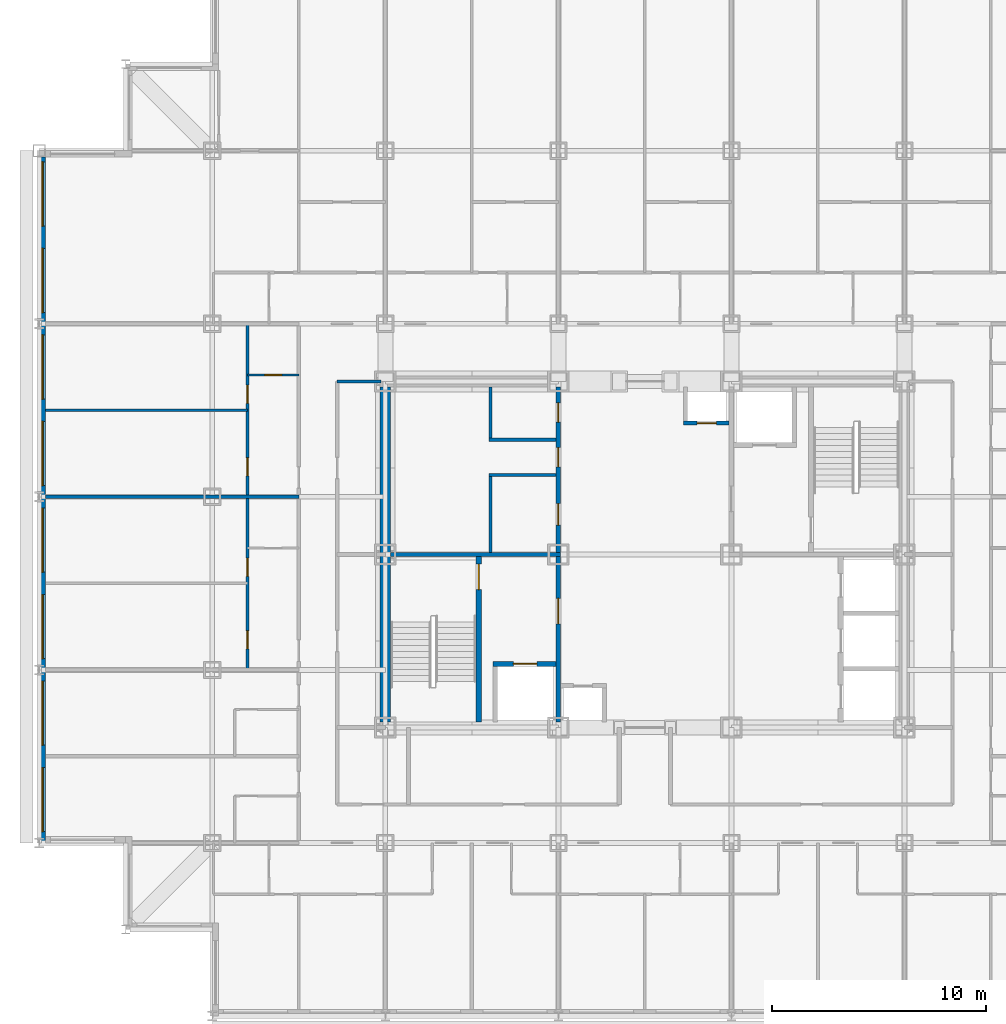
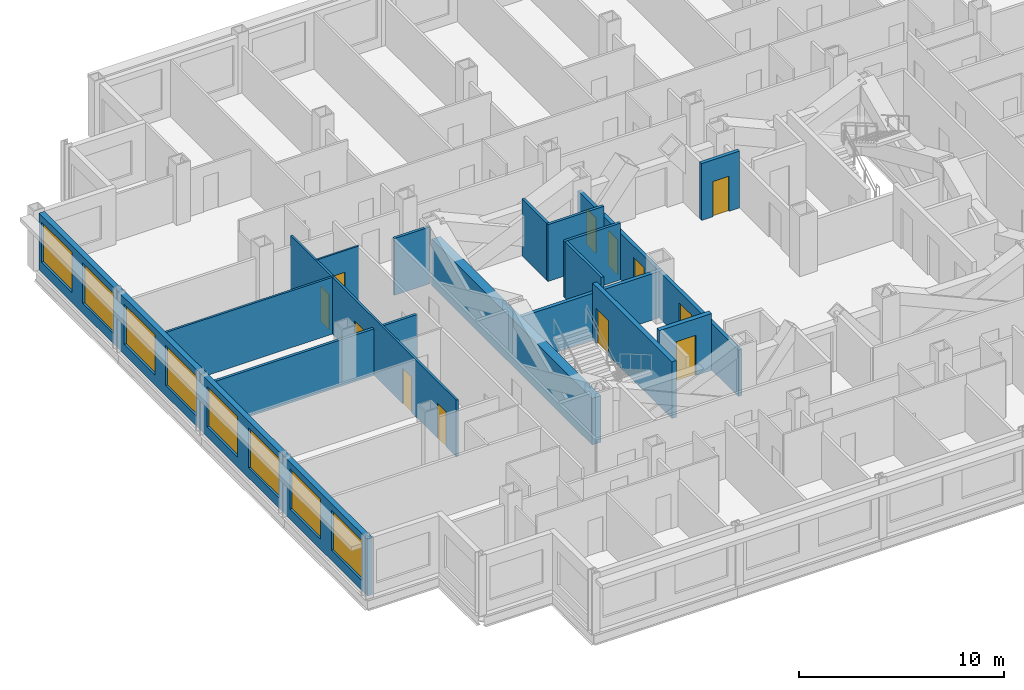
# One storey, part 6 of 12: 17 walls, 12 doors, 8 windows, 20 openings.
"""IFC4 building model written with IfcOpenShell, lengths in metres."""

from ifc_helpers import new_model, si_unit, direction, frame, frame_2d, origin, place, context, subcontext, project, spatial, rectangle, extrude, material, layer, layer_set, type_object, element, fill, save


model = new_model("IFC4")

# Units and contexts
model_context = context("Model", 3, precision=1e-05, world=origin(), true_north=direction((0.0, 1.0)))
body_context = subcontext(model_context, "Body", "Model", "MODEL_VIEW")
ifc_project = project(units=[si_unit("LENGTHUNIT", "METRE"), si_unit("AREAUNIT", "SQUARE_METRE"), si_unit("VOLUMEUNIT", "CUBIC_METRE"), si_unit("PLANEANGLEUNIT", "RADIAN"), si_unit("MASSUNIT", "GRAM", prefix="KILO")], contexts=[model_context])

# Site, building, storey
site_placement = place(None, origin())
site = spatial("IfcSite", under=ifc_project, at=site_placement, CompositionType="ELEMENT")
building_placement = place(site_placement, origin())
building = spatial("IfcBuilding", under=site, at=building_placement, Name="Kopane Lantern Tower", CompositionType="ELEMENT")
storey_placement = place(building_placement, frame((0.0, 0.0, 177.60009765625)))
storey = spatial("IfcBuildingStorey", under=building, at=storey_placement, Name="L45", CompositionType="ELEMENT", Elevation=177.60009765625)

# Wall, openings, doors
ifc_material_1 = material(Name="Gypsum board on steel studs", Category="steel")
ifc_layer_1 = layer(ifc_material_1, 0.1201171875)
ifc_layer_set_1 = layer_set([ifc_layer_1], Name="APARTMENT INTERNAL WALL 120")
wall_type_1 = type_object("IfcWallType", Name="APARTMENT INTERNAL WALL 120", PredefinedType="PARTITIONING", material=ifc_layer_set_1)
wall_1_placement = place(storey_placement, frame((9.75, 27.0, 0.0), z_axis=(0.0, 0.0, 1.0), x_axis=(0.0, 1.0, 0.0)))
wall_1 = element("IfcWall", 1, at=wall_1_placement, inside=storey, type_object=wall_type_1, Name="Apartment Internal Wall 120 L45", PredefinedType="PARTITIONING", context=body_context, shape_type="SweptSolid", body=[
    extrude(rectangle(XDim=16.199951171875, YDim=0.1201171875, at=frame_2d((8.10009765625, 0.0))), origin(), (0.0, 0.0, 1.0), 3.389892578125),
])
opening_1_placement = place(wall_1_placement, frame((0.97509765625, 0.0, 0.0)))
opening_1 = element("IfcOpeningElement", 2, at=opening_1_placement, cuts=wall_1, Name="Opening L45-038", PredefinedType="OPENING", context=body_context, shape_type="SweptSolid", body=[
    extrude(rectangle(XDim=0.85009765625, YDim=2.10009765625, at=frame_2d((0.425048828125, 1.050048828125))), frame((0.0, 0.070068359375, 0.0), z_axis=(0.0, -1.0, 0.0), x_axis=(1.0, 0.0, 0.0)), (0.0, 0.0, 1.0), 0.14013671875),
])
opening_2_placement = place(wall_1_placement, frame((4.375, 0.0, 0.0)))
opening_2 = element("IfcOpeningElement", 3, at=opening_2_placement, cuts=wall_1, Name="Opening L45-039", PredefinedType="OPENING", context=body_context, shape_type="SweptSolid", body=[
    extrude(rectangle(XDim=0.85009765625, YDim=2.10009765625, at=frame_2d((0.425048828125, 1.050048828125))), frame((0.0, 0.070068359375, 0.0), z_axis=(0.0, -1.0, 0.0), x_axis=(1.0, 0.0, 0.0)), (0.0, 0.0, 1.0), 0.14013671875),
])
opening_3_placement = place(wall_1_placement, frame((9.074951171875, 0.0, 0.0)))
opening_3 = element("IfcOpeningElement", 4, at=opening_3_placement, cuts=wall_1, Name="Opening L45-042", PredefinedType="OPENING", context=body_context, shape_type="SweptSolid", body=[
    extrude(rectangle(XDim=0.85009765625, YDim=2.10009765625, at=frame_2d((0.425048828125, 1.050048828125))), frame((0.0, 0.070068359375, 0.0), z_axis=(0.0, -1.0, 0.0), x_axis=(1.0, 0.0, 0.0)), (0.0, 0.0, 1.0), 0.14013671875),
])
opening_4_placement = place(wall_1_placement, frame((12.47509765625, 0.0, 0.0)))
opening_4 = element("IfcOpeningElement", 5, at=opening_4_placement, cuts=wall_1, Name="Opening L45-043", PredefinedType="OPENING", context=body_context, shape_type="SweptSolid", body=[
    extrude(rectangle(XDim=0.85009765625, YDim=2.10009765625, at=frame_2d((0.425048828125, 1.050048828125))), frame((0.0, 0.070068359375, 0.0), z_axis=(0.0, -1.0, 0.0), x_axis=(1.0, 0.0, 0.0)), (0.0, 0.0, 1.0), 0.14013671875),
])
ifc_material_2 = material(Name="Timber door set", Category="wood")
door_type_1 = type_object("IfcDoorType", Name="DOOR D4 850x2100", OperationType="SINGLE_SWING_LEFT", PredefinedType="DOOR", material=ifc_material_2)
door_1_placement = place(opening_1_placement, origin())
door_1 = element("IfcDoor", 6, at=door_1_placement, inside=storey, type_object=door_type_1, Name="Door L45-038", OperationType="SINGLE_SWING_RIGHT", OverallHeight=2.10009765625, OverallWidth=0.85009765625, PredefinedType="DOOR", context=body_context, shape_type="SweptSolid", body=[
    extrude(rectangle(XDim=0.85009765625, YDim=2.10009765625, at=frame_2d((0.425048828125, 1.050048828125))), frame((0.0, 0.02490234375, 0.0), z_axis=(0.0, -1.0, 0.0), x_axis=(1.0, 0.0, 0.0)), (0.0, 0.0, 1.0), 0.050048828125),
])
fill(opening_1, door_1)
door_2_placement = place(opening_2_placement, origin())
door_2 = element("IfcDoor", 7, at=door_2_placement, inside=storey, type_object=door_type_1, Name="Door L45-039", OperationType="SINGLE_SWING_LEFT", OverallHeight=2.10009765625, OverallWidth=0.85009765625, PredefinedType="DOOR", context=body_context, shape_type="SweptSolid", body=[
    extrude(rectangle(XDim=0.85009765625, YDim=2.10009765625, at=frame_2d((0.425048828125, 1.050048828125))), frame((0.0, 0.02490234375, 0.0), z_axis=(0.0, -1.0, 0.0), x_axis=(1.0, 0.0, 0.0)), (0.0, 0.0, 1.0), 0.050048828125),
])
fill(opening_2, door_2)
door_3_placement = place(opening_3_placement, origin())
door_3 = element("IfcDoor", 8, at=door_3_placement, inside=storey, type_object=door_type_1, Name="Door L45-042", OperationType="SINGLE_SWING_RIGHT", OverallHeight=2.10009765625, OverallWidth=0.85009765625, PredefinedType="DOOR", context=body_context, shape_type="SweptSolid", body=[
    extrude(rectangle(XDim=0.85009765625, YDim=2.10009765625, at=frame_2d((0.425048828125, 1.050048828125))), frame((0.0, 0.02490234375, 0.0), z_axis=(0.0, -1.0, 0.0), x_axis=(1.0, 0.0, 0.0)), (0.0, 0.0, 1.0), 0.050048828125),
])
fill(opening_3, door_3)
door_4_placement = place(opening_4_placement, origin())
door_4 = element("IfcDoor", 9, at=door_4_placement, inside=storey, type_object=door_type_1, Name="Door L45-043", OperationType="SINGLE_SWING_LEFT", OverallHeight=2.10009765625, OverallWidth=0.85009765625, PredefinedType="DOOR", context=body_context, shape_type="SweptSolid", body=[
    extrude(rectangle(XDim=0.85009765625, YDim=2.10009765625, at=frame_2d((0.425048828125, 1.050048828125))), frame((0.0, 0.02490234375, 0.0), z_axis=(0.0, -1.0, 0.0), x_axis=(1.0, 0.0, 0.0)), (0.0, 0.0, 1.0), 0.050048828125),
])
fill(opening_4, door_4)

# Wall
wall_2_placement = place(storey_placement, frame((9.75, 39.14990234375, 0.0), z_axis=(0.0, 0.0, 1.0), x_axis=(-1.0, 0.0, 0.0)))
element("IfcWall", 10, at=wall_2_placement, inside=storey, type_object=wall_type_1, Name="Apartment Internal Wall 120 L45", PredefinedType="PARTITIONING", context=body_context, shape_type="SweptSolid", body=[
    extrude(rectangle(XDim=9.449951171875, YDim=0.1201171875, at=frame_2d((4.72509765625, 0.0))), origin(), (0.0, 0.0, 1.0), 3.389892578125),
])

# Wall, opening, door
ifc_material_3 = material(Name="Moisture-resistant board on steel studs", Category="steel")
ifc_layer_2 = layer(ifc_material_3, 0.10009765625)
ifc_layer_set_2 = layer_set([ifc_layer_2], Name="BATHROOM WALL 100")
wall_type_2 = type_object("IfcWallType", Name="BATHROOM WALL 100", PredefinedType="PARTITIONING", material=ifc_layer_set_2)
wall_3_placement = place(storey_placement, frame((12.14990234375, 40.800048828125, 0.0), z_axis=(0.0, 0.0, 1.0), x_axis=(-1.0, 0.0, 0.0)))
wall_3 = element("IfcWall", 11, at=wall_3_placement, inside=storey, type_object=wall_type_2, Name="Bathroom Wall 100 L45", PredefinedType="PARTITIONING", context=body_context, shape_type="SweptSolid", body=[
    extrude(rectangle(XDim=2.39990234375, YDim=0.10009765625, at=frame_2d((1.199951171875, 0.0))), origin(), (0.0, 0.0, 1.0), 3.389892578125),
])
opening_5_placement = place(wall_3_placement, frame((0.800048828125, 0.0, 0.0)))
opening_5 = element("IfcOpeningElement", 12, at=opening_5_placement, cuts=wall_3, Name="Opening L45-040", PredefinedType="OPENING", context=body_context, shape_type="SweptSolid", body=[
    extrude(rectangle(XDim=0.800048828125, YDim=2.10009765625, at=frame_2d((0.39990234375, 1.050048828125))), frame((0.0, 0.06005859375, 0.0), z_axis=(0.0, -1.0, 0.0), x_axis=(1.0, 0.0, 0.0)), (0.0, 0.0, 1.0), 0.1201171875),
])
ifc_material_4 = material(Name="Timber door set", Category="wood")
door_type_2 = type_object("IfcDoorType", Name="DOOR D2 800x2100", OperationType="SINGLE_SWING_LEFT", PredefinedType="DOOR", material=ifc_material_4)
door_5_placement = place(opening_5_placement, origin())
door_5 = element("IfcDoor", 13, at=door_5_placement, inside=storey, type_object=door_type_2, Name="Door L45-040", OperationType="SINGLE_SWING_RIGHT", OverallHeight=2.10009765625, OverallWidth=0.800048828125, PredefinedType="DOOR", context=body_context, shape_type="SweptSolid", body=[
    extrude(rectangle(XDim=0.800048828125, YDim=2.10009765625, at=frame_2d((0.39990234375, 1.050048828125))), frame((0.0, 0.02490234375, 0.0), z_axis=(0.0, -1.0, 0.0), x_axis=(1.0, 0.0, 0.0)), (0.0, 0.0, 1.0), 0.050048828125),
])
fill(opening_5, door_5)

# Walls
ifc_material_5 = material(Name="Gypsum shaft wall EI 120", Category="gypsum")
ifc_layer_3 = layer(ifc_material_5, 0.5)
ifc_layer_set_3 = layer_set([ifc_layer_3], Name="CORE PERIMETER WALL 500 EI 120")
wall_type_3 = type_object("IfcWallType", Name="CORE PERIMETER WALL 500 EI 120", PredefinedType="SOLIDWALL", material=ifc_layer_set_3)
wall_4_placement = place(storey_placement, frame((16.199951171875, 24.550048828125, 0.0), z_axis=(0.0, 0.0, 1.0), x_axis=(0.0, 1.0, 0.0)))
element("IfcWall", 14, at=wall_4_placement, inside=storey, type_object=wall_type_3, Name="Core shaft wall L45 PW", PredefinedType="SOLIDWALL", context=body_context, shape_type="SweptSolid", body=[
    extrude(rectangle(XDim=15.699951171875, YDim=0.5, at=frame_2d((7.85009765625, 0.0))), origin(), (0.0, 0.0, 1.0), 2.777587890625),
])
ifc_material_6 = material(Name="Gypsum partition EI 60", Category="gypsum")
ifc_layer_4 = layer(ifc_material_6, 0.14990234375)
ifc_layer_set_4 = layer_set([ifc_layer_4], Name="CORE ROOM PARTITION 150 EI 60")
wall_type_4 = type_object("IfcWallType", Name="CORE ROOM PARTITION 150 EI 60", PredefinedType="PARTITIONING", material=ifc_layer_set_4)
for number, where, z_axis, x_axis, name in (
    (15, (21.050048828125, 36.125, 0.0), (0.0, 0.0, 1.0), (1.0, 0.0, 0.0), "Core room partition L45 WW1"),
    (16, (21.050048828125, 37.77490234375, 0.0), (0.0, 0.0, 1.0), (1.0, 0.0, 0.0), "Core room partition L45 WW2"),
):
    element("IfcWall", number, at=place(storey_placement, frame(where, z_axis=z_axis, x_axis=x_axis)), inside=storey, type_object=wall_type_4, Name=name, PredefinedType="PARTITIONING", context=body_context, shape_type="SweptSolid", body=[
        extrude(rectangle(XDim=3.14990234375, YDim=0.14990234375, at=frame_2d((1.574951171875, 0.0))), origin(), (0.0, 0.0, 1.0), 3.389892578125),
    ])
wall_5_placement = place(storey_placement, frame((21.125, 32.5, 0.0), z_axis=(0.0, 0.0, 1.0), x_axis=(0.0, 1.0, 0.0)))
element("IfcWall", 17, at=wall_5_placement, inside=storey, type_object=wall_type_4, Name="Core room partition L45 WWB0", PredefinedType="PARTITIONING", context=body_context, shape_type="SweptSolid", body=[
    extrude(rectangle(XDim=3.550048828125, YDim=0.14990234375, at=frame_2d((1.77490234375, 0.0))), origin(), (0.0, 0.0, 1.0), 3.389892578125),
])
wall_6_placement = place(storey_placement, frame((21.125, 37.85009765625, 0.0), z_axis=(0.0, 0.0, 1.0), x_axis=(0.0, 1.0, 0.0)))
element("IfcWall", 18, at=wall_6_placement, inside=storey, type_object=wall_type_4, Name="Core room partition L45 WWB1", PredefinedType="PARTITIONING", context=body_context, shape_type="SweptSolid", body=[
    extrude(rectangle(XDim=2.39990234375, YDim=0.14990234375, at=frame_2d((1.199951171875, 0.0))), origin(), (0.0, 0.0, 1.0), 3.389892578125),
])

# Wall, openings, doors
ifc_material_7 = material(Name="Gypsum partition EI 60", Category="gypsum")
ifc_layer_5 = layer(ifc_material_7, 0.199951171875)
ifc_layer_set_5 = layer_set([ifc_layer_5], Name="CORE ROOM WALL 200 EI 60")
wall_type_5 = type_object("IfcWallType", Name="CORE ROOM WALL 200 EI 60", PredefinedType="PARTITIONING", material=ifc_layer_set_5)
wall_7_placement = place(storey_placement, frame((24.300048828125, 32.5, 0.0), z_axis=(0.0, 0.0, 1.0), x_axis=(0.0, 1.0, 0.0)))
wall_7 = element("IfcWall", 19, at=wall_7_placement, inside=storey, type_object=wall_type_5, Name="Core room wall L45 XW", PredefinedType="PARTITIONING", context=body_context, shape_type="SweptSolid", body=[
    extrude(rectangle(XDim=7.75, YDim=0.199951171875, at=frame_2d((3.875, 0.0))), origin(), (0.0, 0.0, 1.0), 2.777587890625),
])
opening_6_placement = place(wall_7_placement, frame((1.27490234375, 0.0, 0.0)))
opening_6 = element("IfcOpeningElement", 20, at=opening_6_placement, cuts=wall_7, Name="Opening 45.C30", PredefinedType="OPENING", context=body_context, shape_type="SweptSolid", body=[
    extrude(rectangle(XDim=1.0, YDim=2.10009765625, at=frame_2d((0.5, 1.050048828125))), frame((0.0, 0.10986328125, 0.0), z_axis=(0.0, -1.0, 0.0), x_axis=(1.0, 0.0, 0.0)), (0.0, 0.0, 1.0), 0.219970703125),
])
opening_7_placement = place(wall_7_placement, frame((4.0, 0.0, 0.0)))
opening_7 = element("IfcOpeningElement", 21, at=opening_7_placement, cuts=wall_7, Name="Opening 45.C31", PredefinedType="OPENING", context=body_context, shape_type="SweptSolid", body=[
    extrude(rectangle(XDim=0.89990234375, YDim=2.10009765625, at=frame_2d((0.449951171875, 1.050048828125))), frame((0.0, 0.10986328125, 0.0), z_axis=(0.0, -1.0, 0.0), x_axis=(1.0, 0.0, 0.0)), (0.0, 0.0, 1.0), 0.219970703125),
])
opening_8_placement = place(wall_7_placement, frame((6.10009765625, 0.0, 0.0)))
opening_8 = element("IfcOpeningElement", 22, at=opening_8_placement, cuts=wall_7, Name="Opening 45.C32", PredefinedType="OPENING", context=body_context, shape_type="SweptSolid", body=[
    extrude(rectangle(XDim=0.89990234375, YDim=2.10009765625, at=frame_2d((0.449951171875, 1.050048828125))), frame((0.0, 0.10986328125, 0.0), z_axis=(0.0, -1.0, 0.0), x_axis=(1.0, 0.0, 0.0)), (0.0, 0.0, 1.0), 0.219970703125),
])
ifc_material_8 = material(Name="Steel door set", Category="steel")
door_type_3 = type_object("IfcDoorType", Name="CORE ROOM DOOR 1000x2100 FD30S", OperationType="SINGLE_SWING_RIGHT", PredefinedType="DOOR", material=ifc_material_8)
door_6_placement = place(opening_6_placement, origin())
door_6 = element("IfcDoor", 23, at=door_6_placement, inside=storey, type_object=door_type_3, Name="Door Parcel room L45", OperationType="SINGLE_SWING_LEFT", OverallHeight=2.10009765625, OverallWidth=1.0, PredefinedType="DOOR", context=body_context, shape_type="SweptSolid", body=[
    extrude(rectangle(XDim=1.0, YDim=2.10009765625, at=frame_2d((0.5, 1.050048828125))), frame((0.0, 0.02490234375, 0.0), z_axis=(0.0, -1.0, 0.0), x_axis=(1.0, 0.0, 0.0)), (0.0, 0.0, 1.0), 0.050048828125),
])
fill(opening_6, door_6)
ifc_material_9 = material(Name="Steel door set", Category="steel")
door_type_4 = type_object("IfcDoorType", Name="CORE ROOM DOOR 900x2100 FD60", OperationType="SINGLE_SWING_LEFT", PredefinedType="DOOR", material=ifc_material_9)
door_7_placement = place(opening_7_placement, origin())
door_7 = element("IfcDoor", 24, at=door_7_placement, inside=storey, type_object=door_type_4, Name="Door Residents storage L45", OperationType="SINGLE_SWING_RIGHT", OverallHeight=2.10009765625, OverallWidth=0.89990234375, PredefinedType="DOOR", context=body_context, shape_type="SweptSolid", body=[
    extrude(rectangle(XDim=0.89990234375, YDim=2.10009765625, at=frame_2d((0.449951171875, 1.050048828125))), frame((0.0, 0.02490234375, 0.0), z_axis=(0.0, -1.0, 0.0), x_axis=(1.0, 0.0, 0.0)), (0.0, 0.0, 1.0), 0.050048828125),
])
fill(opening_7, door_7)
door_8_placement = place(opening_8_placement, origin())
door_8 = element("IfcDoor", 25, at=door_8_placement, inside=storey, type_object=door_type_4, Name="Door IT room L45", OperationType="SINGLE_SWING_LEFT", OverallHeight=2.10009765625, OverallWidth=0.89990234375, PredefinedType="DOOR", context=body_context, shape_type="SweptSolid", body=[
    extrude(rectangle(XDim=0.89990234375, YDim=2.10009765625, at=frame_2d((0.449951171875, 1.050048828125))), frame((0.0, 0.02490234375, 0.0), z_axis=(0.0, -1.0, 0.0), x_axis=(1.0, 0.0, 0.0)), (0.0, 0.0, 1.0), 0.050048828125),
])
fill(opening_8, door_8)

# Wall, opening, door
ifc_material_10 = material(Name="Gypsum shaft wall EI 120", Category="gypsum")
ifc_layer_6 = layer(ifc_material_10, 0.25)
ifc_layer_set_6 = layer_set([ifc_layer_6], Name="CORE SHAFT WALL 250 EI 120")
wall_type_6 = type_object("IfcWallType", Name="CORE SHAFT WALL 250 EI 120", PredefinedType="SOLIDWALL", material=ifc_layer_set_6)
wall_8_placement = place(storey_placement, frame((20.574951171875, 24.550048828125, 0.0), z_axis=(0.0, 0.0, 1.0), x_axis=(0.0, 1.0, 0.0)))
wall_8 = element("IfcWall", 26, at=wall_8_placement, inside=storey, type_object=wall_type_6, Name="Core shaft wall L45 XST1", PredefinedType="SOLIDWALL", context=body_context, shape_type="SweptSolid", body=[
    extrude(rectangle(XDim=7.75, YDim=0.25, at=frame_2d((3.875, 0.0))), origin(), (0.0, 0.0, 1.0), 3.389892578125),
])
opening_9_placement = place(wall_8_placement, frame((6.199951171875, 0.0, 0.0)))
opening_9 = element("IfcOpeningElement", 27, at=opening_9_placement, cuts=wall_8, Name="Opening 45.SD1", PredefinedType="OPENING", context=body_context, shape_type="SweptSolid", body=[
    extrude(rectangle(XDim=1.199951171875, YDim=2.10009765625, at=frame_2d((0.60009765625, 1.050048828125))), frame((0.0, 0.135009765625, 0.0), z_axis=(0.0, -1.0, 0.0), x_axis=(1.0, 0.0, 0.0)), (0.0, 0.0, 1.0), 0.27001953125),
])
ifc_material_11 = material(Name="Steel door set", Category="steel")
door_type_5 = type_object("IfcDoorType", Name="STAIR DOOR 1200x2100 FD60S", OperationType="SINGLE_SWING_LEFT", PredefinedType="DOOR", material=ifc_material_11)
door_9_placement = place(opening_9_placement, origin())
door_9 = element("IfcDoor", 28, at=door_9_placement, inside=storey, type_object=door_type_5, Name="Stair door ST1 L45", OperationType="SINGLE_SWING_LEFT", OverallHeight=2.10009765625, OverallWidth=1.199951171875, PredefinedType="DOOR", context=body_context, shape_type="SweptSolid", body=[
    extrude(rectangle(XDim=1.199951171875, YDim=2.10009765625, at=frame_2d((0.60009765625, 1.050048828125))), frame((0.0, 0.02490234375, 0.0), z_axis=(0.0, -1.0, 0.0), x_axis=(1.0, 0.0, 0.0)), (0.0, 0.0, 1.0), 0.050048828125),
])
fill(opening_9, door_9)

wall_9_placement = place(storey_placement, frame((21.25, 27.27490234375, 0.0), z_axis=(0.0, 0.0, 1.0), x_axis=(1.0, 0.0, 0.0)))
wall_9 = element("IfcWall", 29, at=wall_9_placement, inside=storey, type_object=wall_type_6, Name="Core shaft wall L45 YLF1", PredefinedType="SOLIDWALL", context=body_context, shape_type="SweptSolid", body=[
    extrude(rectangle(XDim=2.949951171875, YDim=0.25, at=frame_2d((1.47509765625, 0.0))), origin(), (0.0, 0.0, 1.0), 3.389892578125),
])
opening_10_placement = place(wall_9_placement, frame((0.949951171875, 0.0, 0.0)))
opening_10 = element("IfcOpeningElement", 30, at=opening_10_placement, cuts=wall_9, Name="Opening 45.LD-LF1", PredefinedType="OPENING", context=body_context, shape_type="SweptSolid", body=[
    extrude(rectangle(XDim=1.10009765625, YDim=2.39990234375, at=frame_2d((0.550048828125, 1.199951171875))), frame((0.0, 0.135009765625, 0.0), z_axis=(0.0, -1.0, 0.0), x_axis=(1.0, 0.0, 0.0)), (0.0, 0.0, 1.0), 0.27001953125),
])
ifc_material_12 = material(Name="Steel door set", Category="steel")
door_type_6 = type_object("IfcDoorType", Name="LIFT LANDING DOOR 1100x2400 FD60", OperationType="DOUBLE_DOOR_SLIDING", PredefinedType="DOOR", material=ifc_material_12)
door_10_placement = place(opening_10_placement, origin())
door_10 = element("IfcDoor", 31, at=door_10_placement, inside=storey, type_object=door_type_6, Name="Landing door LF1 L45", OperationType="DOUBLE_DOOR_SLIDING", OverallHeight=2.39990234375, OverallWidth=1.10009765625, PredefinedType="DOOR", context=body_context, shape_type="SweptSolid", body=[
    extrude(rectangle(XDim=1.10009765625, YDim=2.39990234375, at=frame_2d((0.550048828125, 1.199951171875))), frame((0.0, 0.02490234375, 0.0), z_axis=(0.0, -1.0, 0.0), x_axis=(1.0, 0.0, 0.0)), (0.0, 0.0, 1.0), 0.050048828125),
])
fill(opening_10, door_10)

# Walls
ifc_material_13 = material(Name="Gypsum board on steel studs", Category="steel")
ifc_layer_7 = layer(ifc_material_13, 0.14990234375)
ifc_layer_set_7 = layer_set([ifc_layer_7], Name="CORRIDOR WALL 150 EI 60")
wall_type_7 = type_object("IfcWallType", Name="CORRIDOR WALL 150 EI 60", PredefinedType="PARTITIONING", material=ifc_layer_set_7)
wall_10_placement = place(storey_placement, frame((16.0, 40.5, 0.0), z_axis=(0.0, 0.0, 1.0), x_axis=(-1.0, 0.0, 0.0)))
element("IfcWall", 32, at=wall_10_placement, inside=storey, type_object=wall_type_7, Name="Corridor Wall 150 Ei 60 L45", PredefinedType="PARTITIONING", context=body_context, shape_type="SweptSolid", body=[
    extrude(rectangle(XDim=2.050048828125, YDim=0.14990234375, at=frame_2d((1.02490234375, 0.0))), origin(), (0.0, 0.0, 1.0), 3.389892578125),
])
ifc_material_14 = material(Name="Gypsum board on steel studs", Category="steel")
ifc_layer_8 = layer(ifc_material_14, 0.14990234375)
ifc_layer_set_8 = layer_set([ifc_layer_8], Name="DEMISING WALL 150 EI 60")
wall_type_8 = type_object("IfcWallType", Name="DEMISING WALL 150 EI 60", PredefinedType="PARTITIONING", material=ifc_layer_set_8)
wall_11_placement = place(storey_placement, frame((12.14990234375, 35.10009765625, 0.0), z_axis=(0.0, 0.0, 1.0), x_axis=(-1.0, 0.0, 0.0)))
element("IfcWall", 33, at=wall_11_placement, inside=storey, type_object=wall_type_8, Name="Demising Wall 150 Ei 60 L45", PredefinedType="PARTITIONING", context=body_context, shape_type="SweptSolid", body=[
    extrude(rectangle(XDim=11.849853515625, YDim=0.14990234375, at=frame_2d((5.9248046875, 0.0))), origin(), (0.0, 0.0, 1.0), 2.777587890625),
])

# Wall, openings, windows
ifc_material_15 = material(Name="Terracotta rainscreen on light steel framing", Category="masonry")
ifc_layer_9 = layer(ifc_material_15, 0.300048828125)
ifc_layer_set_9 = layer_set([ifc_layer_9], Name="EXTERNAL WALL EW1 300 TERRACOTTA")
wall_type_9 = type_object("IfcWallType", Name="EXTERNAL WALL EW1 300 TERRACOTTA", PredefinedType="SOLIDWALL", material=ifc_layer_set_9)
wall_12_placement = place(storey_placement, frame((0.14990234375, 51.0, 0.0), z_axis=(0.0, 0.0, 1.0), x_axis=(0.0, -1.0, 0.0)))
wall_12 = element("IfcWall", 34, at=wall_12_placement, inside=storey, type_object=wall_type_9, Name="External wall W L45", PredefinedType="SOLIDWALL", context=body_context, shape_type="SweptSolid", body=[
    extrude(rectangle(XDim=32.10009765625, YDim=0.300048828125, at=frame_2d((16.050048828125, 0.0))), origin(), (0.0, 0.0, 1.0), 3.389892578125),
])
opening_11_placement = place(wall_12_placement, frame((0.22509765625, 0.0, 0.60009765625)))
opening_11 = element("IfcOpeningElement", 35, at=opening_11_placement, cuts=wall_12, Name="Opening WR300240", PredefinedType="OPENING", context=body_context, shape_type="SweptSolid", body=[
    extrude(rectangle(XDim=3.0, YDim=2.39990234375, at=frame_2d((1.5, 1.199951171875))), frame((0.0, 0.159912109375, 0.0), z_axis=(0.0, -1.0, 0.0), x_axis=(1.0, 0.0, 0.0)), (0.0, 0.0, 1.0), 0.320068359375),
])
opening_12_placement = place(wall_12_placement, frame((4.27490234375, 0.0, 0.60009765625)))
opening_12 = element("IfcOpeningElement", 36, at=opening_12_placement, cuts=wall_12, Name="Opening WR300240", PredefinedType="OPENING", context=body_context, shape_type="SweptSolid", body=[
    extrude(rectangle(XDim=3.0, YDim=2.39990234375, at=frame_2d((1.5, 1.199951171875))), frame((0.0, 0.159912109375, 0.0), z_axis=(0.0, -1.0, 0.0), x_axis=(1.0, 0.0, 0.0)), (0.0, 0.0, 1.0), 0.320068359375),
])
opening_13_placement = place(wall_12_placement, frame((8.324951171875, 0.0, 0.60009765625)))
opening_13 = element("IfcOpeningElement", 37, at=opening_13_placement, cuts=wall_12, Name="Opening WR300240", PredefinedType="OPENING", context=body_context, shape_type="SweptSolid", body=[
    extrude(rectangle(XDim=3.0, YDim=2.39990234375, at=frame_2d((1.5, 1.199951171875))), frame((0.0, 0.159912109375, 0.0), z_axis=(0.0, -1.0, 0.0), x_axis=(1.0, 0.0, 0.0)), (0.0, 0.0, 1.0), 0.320068359375),
])
opening_14_placement = place(wall_12_placement, frame((12.375, 0.0, 0.60009765625)))
opening_14 = element("IfcOpeningElement", 38, at=opening_14_placement, cuts=wall_12, Name="Opening WR300240", PredefinedType="OPENING", context=body_context, shape_type="SweptSolid", body=[
    extrude(rectangle(XDim=3.0, YDim=2.39990234375, at=frame_2d((1.5, 1.199951171875))), frame((0.0, 0.159912109375, 0.0), z_axis=(0.0, -1.0, 0.0), x_axis=(1.0, 0.0, 0.0)), (0.0, 0.0, 1.0), 0.320068359375),
])
opening_15_placement = place(wall_12_placement, frame((16.425048828125, 0.0, 0.60009765625)))
opening_15 = element("IfcOpeningElement", 39, at=opening_15_placement, cuts=wall_12, Name="Opening WR300240", PredefinedType="OPENING", context=body_context, shape_type="SweptSolid", body=[
    extrude(rectangle(XDim=3.0, YDim=2.39990234375, at=frame_2d((1.5, 1.199951171875))), frame((0.0, 0.159912109375, 0.0), z_axis=(0.0, -1.0, 0.0), x_axis=(1.0, 0.0, 0.0)), (0.0, 0.0, 1.0), 0.320068359375),
])
opening_16_placement = place(wall_12_placement, frame((20.47509765625, 0.0, 0.60009765625)))
opening_16 = element("IfcOpeningElement", 40, at=opening_16_placement, cuts=wall_12, Name="Opening WR300240", PredefinedType="OPENING", context=body_context, shape_type="SweptSolid", body=[
    extrude(rectangle(XDim=3.0, YDim=2.39990234375, at=frame_2d((1.5, 1.199951171875))), frame((0.0, 0.159912109375, 0.0), z_axis=(0.0, -1.0, 0.0), x_axis=(1.0, 0.0, 0.0)), (0.0, 0.0, 1.0), 0.320068359375),
])
opening_17_placement = place(wall_12_placement, frame((24.52490234375, 0.0, 0.60009765625)))
opening_17 = element("IfcOpeningElement", 41, at=opening_17_placement, cuts=wall_12, Name="Opening WR300240", PredefinedType="OPENING", context=body_context, shape_type="SweptSolid", body=[
    extrude(rectangle(XDim=3.0, YDim=2.39990234375, at=frame_2d((1.5, 1.199951171875))), frame((0.0, 0.159912109375, 0.0), z_axis=(0.0, -1.0, 0.0), x_axis=(1.0, 0.0, 0.0)), (0.0, 0.0, 1.0), 0.320068359375),
])
opening_18_placement = place(wall_12_placement, frame((28.574951171875, 0.0, 0.60009765625)))
opening_18 = element("IfcOpeningElement", 42, at=opening_18_placement, cuts=wall_12, Name="Opening WR300240", PredefinedType="OPENING", context=body_context, shape_type="SweptSolid", body=[
    extrude(rectangle(XDim=3.0, YDim=2.39990234375, at=frame_2d((1.5, 1.199951171875))), frame((0.0, 0.159912109375, 0.0), z_axis=(0.0, -1.0, 0.0), x_axis=(1.0, 0.0, 0.0)), (0.0, 0.0, 1.0), 0.320068359375),
])
ifc_material_16 = material(Name="Aluminium and clear glass", Category="aluminium")
window_type = type_object("IfcWindowType", Name="RIBBON WINDOW WR300240 3000x2400", PartitioningType="SINGLE_PANEL", PredefinedType="WINDOW", material=ifc_material_16)
window_1_placement = place(opening_11_placement, origin())
window_1 = element("IfcWindow", 43, at=window_1_placement, inside=storey, type_object=window_type, Name="Window W L45", OverallHeight=2.39990234375, OverallWidth=3.0, PartitioningType="SINGLE_PANEL", PredefinedType="WINDOW", context=body_context, shape_type="SweptSolid", body=[
    extrude(rectangle(XDim=3.0, YDim=2.39990234375, at=frame_2d((1.5, 1.199951171875))), frame((0.0, 0.030029296875, 0.0), z_axis=(0.0, -1.0, 0.0), x_axis=(1.0, 0.0, 0.0)), (0.0, 0.0, 1.0), 0.06005859375),
])
fill(opening_11, window_1)
window_2_placement = place(opening_12_placement, origin())
window_2 = element("IfcWindow", 44, at=window_2_placement, inside=storey, type_object=window_type, Name="Window W L45", OverallHeight=2.39990234375, OverallWidth=3.0, PartitioningType="SINGLE_PANEL", PredefinedType="WINDOW", context=body_context, shape_type="SweptSolid", body=[
    extrude(rectangle(XDim=3.0, YDim=2.39990234375, at=frame_2d((1.5, 1.199951171875))), frame((0.0, 0.030029296875, 0.0), z_axis=(0.0, -1.0, 0.0), x_axis=(1.0, 0.0, 0.0)), (0.0, 0.0, 1.0), 0.06005859375),
])
fill(opening_12, window_2)
window_3_placement = place(opening_13_placement, origin())
window_3 = element("IfcWindow", 45, at=window_3_placement, inside=storey, type_object=window_type, Name="Window W L45", OverallHeight=2.39990234375, OverallWidth=3.0, PartitioningType="SINGLE_PANEL", PredefinedType="WINDOW", context=body_context, shape_type="SweptSolid", body=[
    extrude(rectangle(XDim=3.0, YDim=2.39990234375, at=frame_2d((1.5, 1.199951171875))), frame((0.0, 0.030029296875, 0.0), z_axis=(0.0, -1.0, 0.0), x_axis=(1.0, 0.0, 0.0)), (0.0, 0.0, 1.0), 0.06005859375),
])
fill(opening_13, window_3)
window_4_placement = place(opening_14_placement, origin())
window_4 = element("IfcWindow", 46, at=window_4_placement, inside=storey, type_object=window_type, Name="Window W L45", OverallHeight=2.39990234375, OverallWidth=3.0, PartitioningType="SINGLE_PANEL", PredefinedType="WINDOW", context=body_context, shape_type="SweptSolid", body=[
    extrude(rectangle(XDim=3.0, YDim=2.39990234375, at=frame_2d((1.5, 1.199951171875))), frame((0.0, 0.030029296875, 0.0), z_axis=(0.0, -1.0, 0.0), x_axis=(1.0, 0.0, 0.0)), (0.0, 0.0, 1.0), 0.06005859375),
])
fill(opening_14, window_4)
window_5_placement = place(opening_15_placement, origin())
window_5 = element("IfcWindow", 47, at=window_5_placement, inside=storey, type_object=window_type, Name="Window W L45", OverallHeight=2.39990234375, OverallWidth=3.0, PartitioningType="SINGLE_PANEL", PredefinedType="WINDOW", context=body_context, shape_type="SweptSolid", body=[
    extrude(rectangle(XDim=3.0, YDim=2.39990234375, at=frame_2d((1.5, 1.199951171875))), frame((0.0, 0.030029296875, 0.0), z_axis=(0.0, -1.0, 0.0), x_axis=(1.0, 0.0, 0.0)), (0.0, 0.0, 1.0), 0.06005859375),
])
fill(opening_15, window_5)
window_6_placement = place(opening_16_placement, origin())
window_6 = element("IfcWindow", 48, at=window_6_placement, inside=storey, type_object=window_type, Name="Window W L45", OverallHeight=2.39990234375, OverallWidth=3.0, PartitioningType="SINGLE_PANEL", PredefinedType="WINDOW", context=body_context, shape_type="SweptSolid", body=[
    extrude(rectangle(XDim=3.0, YDim=2.39990234375, at=frame_2d((1.5, 1.199951171875))), frame((0.0, 0.030029296875, 0.0), z_axis=(0.0, -1.0, 0.0), x_axis=(1.0, 0.0, 0.0)), (0.0, 0.0, 1.0), 0.06005859375),
])
fill(opening_16, window_6)
window_7_placement = place(opening_17_placement, origin())
window_7 = element("IfcWindow", 49, at=window_7_placement, inside=storey, type_object=window_type, Name="Window W L45", OverallHeight=2.39990234375, OverallWidth=3.0, PartitioningType="SINGLE_PANEL", PredefinedType="WINDOW", context=body_context, shape_type="SweptSolid", body=[
    extrude(rectangle(XDim=3.0, YDim=2.39990234375, at=frame_2d((1.5, 1.199951171875))), frame((0.0, 0.030029296875, 0.0), z_axis=(0.0, -1.0, 0.0), x_axis=(1.0, 0.0, 0.0)), (0.0, 0.0, 1.0), 0.06005859375),
])
fill(opening_17, window_7)
window_8_placement = place(opening_18_placement, origin())
window_8 = element("IfcWindow", 50, at=window_8_placement, inside=storey, type_object=window_type, Name="Window W L45", OverallHeight=2.39990234375, OverallWidth=3.0, PartitioningType="SINGLE_PANEL", PredefinedType="WINDOW", context=body_context, shape_type="SweptSolid", body=[
    extrude(rectangle(XDim=3.0, YDim=2.39990234375, at=frame_2d((1.5, 1.199951171875))), frame((0.0, 0.030029296875, 0.0), z_axis=(0.0, -1.0, 0.0), x_axis=(1.0, 0.0, 0.0)), (0.0, 0.0, 1.0), 0.06005859375),
])
fill(opening_18, window_8)

# Wall
ifc_material_17 = material(Name="Gypsum shaft wall EI 120", Category="gypsum")
ifc_layer_10 = layer(ifc_material_17, 0.199951171875)
ifc_layer_set_10 = layer_set([ifc_layer_10], Name="SHAFT WALL 200 EI 120")
wall_type_10 = type_object("IfcWallType", Name="SHAFT WALL 200 EI 120", PredefinedType="SOLIDWALL", material=ifc_layer_set_10)
wall_13_placement = place(storey_placement, frame((16.449951171875, 32.39990234375, 0.0), z_axis=(0.0, 0.0, 1.0), x_axis=(1.0, 0.0, 0.0)))
element("IfcWall", 51, at=wall_13_placement, inside=storey, type_object=wall_type_10, Name="Core shaft wall L45 Y324W", PredefinedType="SOLIDWALL", context=body_context, shape_type="SweptSolid", body=[
    extrude(rectangle(XDim=7.949951171875, YDim=0.199951171875, at=frame_2d((3.97509765625, 0.0))), origin(), (0.0, 0.0, 1.0), 2.777587890625),
])

# Wall, opening, door
wall_14_placement = place(storey_placement, frame((24.300048828125, 24.550048828125, 0.0), z_axis=(0.0, 0.0, 1.0), x_axis=(0.0, 1.0, 0.0)))
wall_14 = element("IfcWall", 52, at=wall_14_placement, inside=storey, type_object=wall_type_10, Name="Core shaft wall L45 X243", PredefinedType="SOLIDWALL", context=body_context, shape_type="SweptSolid", body=[
    extrude(rectangle(XDim=7.75, YDim=0.199951171875, at=frame_2d((3.875, 0.0))), origin(), (0.0, 0.0, 1.0), 2.777587890625),
])
opening_19_placement = place(wall_14_placement, frame((4.60009765625, 0.0, 0.0)))
opening_19 = element("IfcOpeningElement", 53, at=opening_19_placement, cuts=wall_14, Name="Opening 45.FL1", PredefinedType="OPENING", context=body_context, shape_type="SweptSolid", body=[
    extrude(rectangle(XDim=1.199951171875, YDim=2.10009765625, at=frame_2d((0.60009765625, 1.050048828125))), frame((0.0, 0.10986328125, 0.0), z_axis=(0.0, -1.0, 0.0), x_axis=(1.0, 0.0, 0.0)), (0.0, 0.0, 1.0), 0.219970703125),
])
ifc_material_18 = material(Name="Steel door set", Category="steel")
door_type_7 = type_object("IfcDoorType", Name="FIREFIGHTING LOBBY DOOR 1200x2100 FD60S", OperationType="SINGLE_SWING_RIGHT", PredefinedType="DOOR", material=ifc_material_18)
door_11_placement = place(opening_19_placement, origin())
door_11 = element("IfcDoor", 54, at=door_11_placement, inside=storey, type_object=door_type_7, Name="Firefighting lobby door FL1 L45", OperationType="SINGLE_SWING_LEFT", OverallHeight=2.10009765625, OverallWidth=1.199951171875, PredefinedType="DOOR", context=body_context, shape_type="SweptSolid", body=[
    extrude(rectangle(XDim=1.199951171875, YDim=2.10009765625, at=frame_2d((0.60009765625, 1.050048828125))), frame((0.0, 0.02490234375, 0.0), z_axis=(0.0, -1.0, 0.0), x_axis=(1.0, 0.0, 0.0)), (0.0, 0.0, 1.0), 0.050048828125),
])
fill(opening_19, door_11)

wall_15_placement = place(storey_placement, frame((30.14990234375, 38.550048828125, 0.0), z_axis=(0.0, 0.0, 1.0), x_axis=(1.0, 0.0, 0.0)))
wall_15 = element("IfcWall", 55, at=wall_15_placement, inside=storey, type_object=wall_type_10, Name="Core shaft wall L45 YRS2", PredefinedType="SOLIDWALL", context=body_context, shape_type="SweptSolid", body=[
    extrude(rectangle(XDim=2.150146484375, YDim=0.199951171875, at=frame_2d((1.0751953125, 0.0))), origin(), (0.0, 0.0, 1.0), 3.389892578125),
])
opening_20_placement = place(wall_15_placement, frame((0.64990234375, 0.0, 0.0)))
opening_20 = element("IfcOpeningElement", 56, at=opening_20_placement, cuts=wall_15, Name="Opening 45.RS2", PredefinedType="OPENING", context=body_context, shape_type="SweptSolid", body=[
    extrude(rectangle(XDim=0.89990234375, YDim=2.10009765625, at=frame_2d((0.449951171875, 1.050048828125))), frame((0.0, 0.10986328125, 0.0), z_axis=(0.0, -1.0, 0.0), x_axis=(1.0, 0.0, 0.0)), (0.0, 0.0, 1.0), 0.219970703125),
])
ifc_material_19 = material(Name="Steel door set", Category="steel")
door_type_8 = type_object("IfcDoorType", Name="RISER ACCESS DOOR 900x2100 FD60", OperationType="SINGLE_SWING_LEFT", PredefinedType="DOOR", material=ifc_material_19)
door_12_placement = place(opening_20_placement, origin())
door_12 = element("IfcDoor", 57, at=door_12_placement, inside=storey, type_object=door_type_8, Name="Riser access door RS2 L45", OperationType="SINGLE_SWING_LEFT", OverallHeight=2.10009765625, OverallWidth=0.89990234375, PredefinedType="DOOR", context=body_context, shape_type="SweptSolid", body=[
    extrude(rectangle(XDim=0.89990234375, YDim=2.10009765625, at=frame_2d((0.449951171875, 1.050048828125))), frame((0.0, 0.02490234375, 0.0), z_axis=(0.0, -1.0, 0.0), x_axis=(1.0, 0.0, 0.0)), (0.0, 0.0, 1.0), 0.050048828125),
])
fill(opening_20, door_12)

save(model, "model.ifc")
